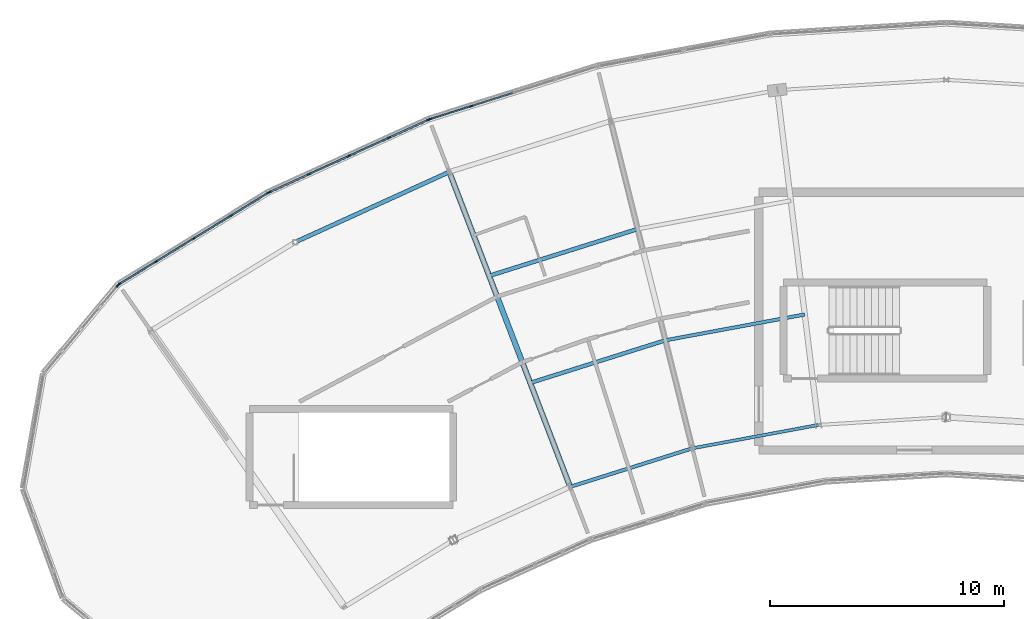
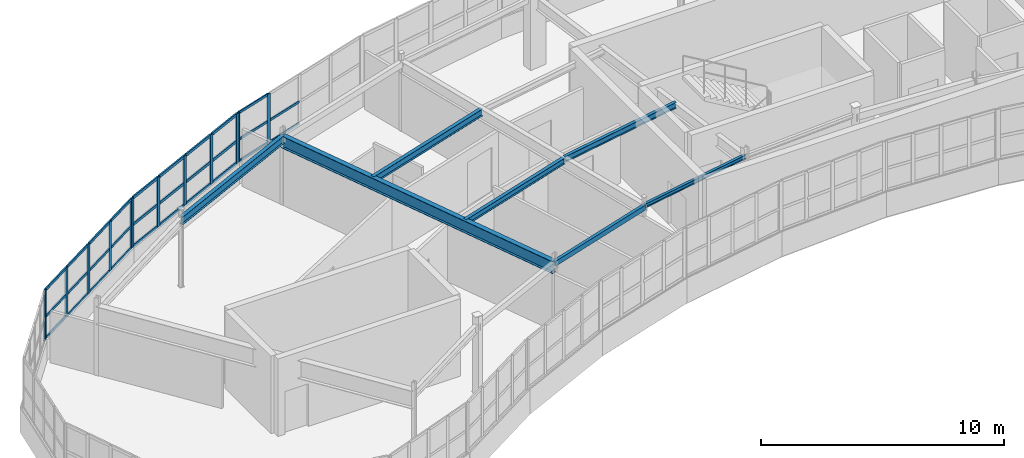
# One storey, part 28 of 60: 42 members, 7 beams, 4 elements without a shape of their own.
"""IFC4 building model written with IfcOpenShell, lengths in metres."""

from ifc_helpers import new_model, si_unit, direction, frame, origin, origin_2d, place, context, subcontext, project, spatial, rectangle, hollow_rectangle, i_section, extrude, material, layer, layer_set, material_profile, profile_set, type_object, element, aggregate, save


model = new_model("IFC4")

# Units and contexts
model_context = context("Model", 3, precision=1e-05, world=origin(), true_north=direction((0.0, 1.0)))
body_context = subcontext(model_context, "Body", "Model", "MODEL_VIEW")
ifc_project = project(units=[si_unit("LENGTHUNIT", "METRE"), si_unit("AREAUNIT", "SQUARE_METRE"), si_unit("VOLUMEUNIT", "CUBIC_METRE"), si_unit("PLANEANGLEUNIT", "RADIAN"), si_unit("MASSUNIT", "GRAM", prefix="KILO")], contexts=[model_context])

# Site, building, storey
site_placement = place(None, origin())
site = spatial("IfcSite", under=ifc_project, at=site_placement, CompositionType="ELEMENT")
building_placement = place(site_placement, origin())
building = spatial("IfcBuilding", under=site, at=building_placement, Name="Tarnwether General Hospital", CompositionType="ELEMENT")
storey_placement = place(building_placement, frame((0.0, 0.0, 26.10009765625)))
storey = spatial("IfcBuildingStorey", under=building, at=storey_placement, Name="L06", CompositionType="ELEMENT", Elevation=26.10009765625)

# Beams
ifc_material_1 = material(Name="Steel Grade 350 (350 MPa)", Category="steel")
ifc_material_profile_1 = material_profile(ifc_material_1, i_section(OverallWidth=0.22900390625, OverallDepth=0.612060546875, WebThickness=0.011962890625, FlangeThickness=0.01953125, at=origin_2d()), Name="610UB125")
ifc_profile_set_1 = profile_set([ifc_material_profile_1], Name="Steel Grade 350 (350 MPa)")
beam_type_1 = type_object("IfcBeamType", Name="BM-G03", PredefinedType="BEAM", material=ifc_profile_set_1)
beam_1_placement = place(storey_placement, frame((70.784912109375, 118.26806640625, 3.19384765625), z_axis=(0.358334838026, -0.933593136145, 0.0), x_axis=(0.933593136145, 0.358334838026, 0.0)))
element("IfcBeam", 1, at=beam_1_placement, inside=storey, type_object=beam_type_1, Name="Curved Ward NW Radial Girder BMG-L06-7078_11827-7594_10482-2014", PredefinedType="BEAM", context=body_context, shape_type="SweptSolid", body=[
    extrude(i_section(OverallWidth=0.22900390625, OverallDepth=0.612060546875, WebThickness=0.011962890625, FlangeThickness=0.01953125, at=origin_2d()), origin(), (0.0, 0.0, 1.0), 14.400390625),
])
ifc_material_2 = material(Name="Steel Grade 350 (350 MPa)", Category="steel")
ifc_material_profile_2 = material_profile(ifc_material_2, i_section(OverallWidth=0.1708984375, OverallDepth=0.35595703125, WebThickness=0.00732421875, FlangeThickness=0.011474609375, at=origin_2d()), Name="360UB50.7")
ifc_profile_set_2 = profile_set([ifc_material_profile_2], Name="Steel Grade 350 (350 MPa)")
beam_type_2 = type_object("IfcBeamType", Name="BM-J04", PredefinedType="JOIST", material=ifc_profile_set_2)
beam_2_placement = place(storey_placement, frame((72.488037109375, 113.8310546875, 3.322021484375), z_axis=(0.953671429399, 0.300850136693, 0.0), x_axis=(-0.300850136693, 0.953671429399, 0.0)))
element("IfcBeam", 2, at=beam_2_placement, inside=storey, type_object=beam_type_2, Name="Curved Ward NW Chord Joist BMG-L06-7249_11383-7883_11583-2025", PredefinedType="JOIST", context=body_context, shape_type="SweptSolid", body=[
    extrude(i_section(OverallWidth=0.1708984375, OverallDepth=0.35595703125, WebThickness=0.00732421875, FlangeThickness=0.011474609375, at=origin_2d()), origin(), (0.0, 0.0, 1.0), 6.64794921875),
])
ifc_material_3 = material(Name="Steel Grade 350 (350 MPa)", Category="steel")
ifc_material_profile_3 = material_profile(ifc_material_3, i_section(OverallWidth=0.1650390625, OverallDepth=0.303955078125, WebThickness=0.006103515625, FlangeThickness=0.01025390625, at=origin_2d()), Name="310UB40.4")
ifc_profile_set_3 = profile_set([ifc_material_profile_3], Name="Steel Grade 350 (350 MPa)")
beam_type_3 = type_object("IfcBeamType", Name="BM-J07", PredefinedType="JOIST", material=ifc_profile_set_3)
beam_3_placement = place(storey_placement, frame((74.241943359375, 109.260986328125, 3.347900390625), z_axis=(0.953725879816, 0.300677478654, 0.0), x_axis=(-0.300677478654, 0.953725879816, 0.0)))
element("IfcBeam", 3, at=beam_3_placement, inside=storey, type_object=beam_type_3, Name="Curved Ward NW Chord Joist BMG-L06-7424_10926-8001_11108-2026", PredefinedType="JOIST", context=body_context, shape_type="SweptSolid", body=[
    extrude(i_section(OverallWidth=0.1650390625, OverallDepth=0.303955078125, WebThickness=0.006103515625, FlangeThickness=0.01025390625, at=origin_2d()), origin(), (0.0, 0.0, 1.0), 6.050048828125),
])
ifc_material_4 = material(Name="Steel Grade 350 (350 MPa)", Category="steel")
ifc_material_profile_4 = material_profile(ifc_material_4, i_section(OverallWidth=0.14892578125, OverallDepth=0.298095703125, WebThickness=0.005615234375, FlangeThickness=0.008056640625, at=origin_2d()), Name="310UB32.0")
ifc_profile_set_4 = profile_set([ifc_material_profile_4], Name="Steel Grade 350 (350 MPa)")
beam_type_4 = type_object("IfcBeamType", Name="BM-J08", PredefinedType="JOIST", material=ifc_profile_set_4)
beam_4_placement = place(storey_placement, frame((80.011962890625, 111.080078125, 3.39599609375), z_axis=(0.983241575901, 0.182307442029, 0.0), x_axis=(-0.182307442029, 0.983241575901, 0.0)))
element("IfcBeam", 4, at=beam_4_placement, inside=storey, type_object=beam_type_4, Name="Curved Ward NW Chord Joist BMG-L06-8001_11108-8596_11218-2030", PredefinedType="JOIST", context=body_context, shape_type="SweptSolid", body=[
    extrude(i_section(OverallWidth=0.14892578125, OverallDepth=0.298095703125, WebThickness=0.005615234375, FlangeThickness=0.008056640625, at=origin_2d()), origin(), (0.0, 0.0, 1.0), 6.05029296875),
])
ifc_material_5 = material(Name="Steel Grade 350 (350 MPa)", Category="steel")
ifc_material_profile_5 = material_profile(ifc_material_5, i_section(OverallWidth=0.177978515625, OverallDepth=0.403076171875, WebThickness=0.007568359375, FlangeThickness=0.010986328125, at=origin_2d()), Name="410UB53.7")
ifc_profile_set_5 = profile_set([ifc_material_profile_5], Name="Steel Grade 350 (350 MPa)")
beam_type_5 = type_object("IfcBeamType", Name="BM-SP2", PredefinedType="SPANDREL", material=ifc_profile_set_5)
beam_5_placement = place(storey_placement, frame((64.20703125, 115.27001953125, 3.29833984375), z_axis=(0.909943842177, 0.414731484316, 0.0), x_axis=(-0.414731484316, 0.909943842177, 0.0)))
element("IfcBeam", 5, at=beam_5_placement, inside=storey, type_object=beam_type_5, Name="Curved Ward NW Outer Spandrel BMG-L06-6421_11527-7078_11827-2021", PredefinedType="SPANDREL", context=body_context, shape_type="SweptSolid", body=[
    extrude(i_section(OverallWidth=0.177978515625, OverallDepth=0.403076171875, WebThickness=0.007568359375, FlangeThickness=0.010986328125, at=origin_2d()), origin(), (0.0, 0.0, 1.0), 7.22900390625),
])
ifc_material_6 = material(Name="Steel Grade C350L0 (350 MPa)", Category="steel")
ifc_material_profile_6 = material_profile(ifc_material_6, hollow_rectangle(XDim=0.14990234375, YDim=0.25, WallThickness=0.010009765625, at=origin_2d()), Name="RHS250x150x10")
ifc_profile_set_6 = profile_set([ifc_material_profile_6], Name="Steel Grade C350L0 (350 MPa)")
beam_type_6 = type_object("IfcBeamType", Name="BM-SP4", PredefinedType="SPANDREL", material=ifc_profile_set_6)
beam_6_placement = place(storey_placement, frame((75.945068359375, 104.823974609375, 3.375), z_axis=(0.953712084488, 0.300721232874, 0.0), x_axis=(-0.300721232874, 0.953712084488, 0.0)))
element("IfcBeam", 6, at=beam_6_placement, inside=storey, type_object=beam_type_6, Name="Curved Ward NW Inner Spandrel BMG-L06-7594_10482-8116_10647-2024", PredefinedType="SPANDREL", context=body_context, shape_type="SweptSolid", body=[
    extrude(hollow_rectangle(XDim=0.14990234375, YDim=0.25, WallThickness=0.010009765625, at=origin_2d()), origin(), (0.0, 0.0, 1.0), 5.47021484375),
])
ifc_material_7 = material(Name="Steel Grade 350 (350 MPa)", Category="steel")
ifc_material_profile_7 = material_profile(ifc_material_7, i_section(OverallWidth=0.133056640625, OverallDepth=0.202880859375, WebThickness=0.005859375, FlangeThickness=0.0078125, at=origin_2d()), Name="200UB25.4")
ifc_profile_set_7 = profile_set([ifc_material_profile_7], Name="Steel Grade 350 (350 MPa)")
beam_type_7 = type_object("IfcBeamType", Name="BM-SP5", PredefinedType="SPANDREL", material=ifc_profile_set_7)
beam_7_placement = place(storey_placement, frame((81.162109375, 106.468994140625, 3.443359375), z_axis=(0.983244096291, 0.18229384825, 0.0), x_axis=(-0.18229384825, 0.983244096291, 0.0)))
element("IfcBeam", 7, at=beam_7_placement, inside=storey, type_object=beam_type_7, Name="Curved Ward NW Inner Spandrel BMG-L06-8116_10647-8654_10747-2028", PredefinedType="SPANDREL", context=body_context, shape_type="SweptSolid", body=[
    extrude(i_section(OverallWidth=0.133056640625, OverallDepth=0.202880859375, WebThickness=0.005859375, FlangeThickness=0.0078125, at=origin_2d()), origin(), (0.0, 0.0, 1.0), 5.469482421875),
])

# Curtain wall, members
ifc_material_8 = material(Name="Anodised aluminium", Category="aluminium")
ifc_layer_1 = layer(ifc_material_8, 0.179931640625)
ifc_layer_set_1 = layer_set([ifc_layer_1], Name="Anodised aluminium")
curtain_wall_type_1 = type_object("IfcCurtainWallType", Name="CW-06", PredefinedType="NOTDEFINED", material=ifc_layer_set_1)
curtain_wall_1_placement = place(storey_placement, origin())
curtain_wall_1 = element("IfcCurtainWall", 8, at=curtain_wall_1_placement, inside=storey, type_object=curtain_wall_type_1, Name="Curtain Wall CWG-L06-699_1205-0125", PredefinedType="NOTDEFINED")
ifc_material_9 = material(Name="Anodised aluminium", Category="aluminium")
ifc_material_profile_8 = material_profile(ifc_material_9, rectangle(XDim=0.06005859375, YDim=0.159912109375, at=origin_2d()), Name="ALU-MUL-60x160")
ifc_profile_set_8 = profile_set([ifc_material_profile_8], Name="Anodised aluminium")
member_type_1 = type_object("IfcMemberType", Name="CW-ML1", PredefinedType="MULLION", material=ifc_profile_set_8)
member_1_placement = place(storey_placement, frame((69.95361328125, 120.51806640625, 1.0498046875), z_axis=(0.0, 0.0, 1.0), x_axis=(-0.300628613299, 0.953741284032, 0.0)))
member_1 = element("IfcMember", 9, at=member_1_placement, type_object=member_type_1, Name="CW-06 mullion 1", PredefinedType="MULLION", context=body_context, shape_type="SweptSolid", body=[
    extrude(rectangle(XDim=0.06005859375, YDim=0.159912109375, at=origin_2d()), origin(), (0.0, 0.0, 1.0), 2.4951171875),
])
member_2_placement = place(storey_placement, frame((71.71826171875, 121.07421875, 1.0498046875), z_axis=(0.0, 0.0, 1.0), x_axis=(-0.300628613299, 0.953741284032, 0.0)))
member_2 = element("IfcMember", 10, at=member_2_placement, type_object=member_type_1, Name="CW-06 mullion 2", PredefinedType="MULLION", context=body_context, shape_type="SweptSolid", body=[
    extrude(rectangle(XDim=0.06005859375, YDim=0.159912109375, at=origin_2d()), origin(), (0.0, 0.0, 1.0), 2.4951171875),
])

curtain_wall_2_placement = place(storey_placement, origin())
curtain_wall_2 = element("IfcCurtainWall", 11, at=curtain_wall_2_placement, inside=storey, type_object=curtain_wall_type_1, Name="Curtain Wall CWG-L06-631_1174-0126", PredefinedType="NOTDEFINED")
ifc_material_10 = material(Name="Anodised aluminium", Category="aluminium")
ifc_material_profile_9 = material_profile(ifc_material_10, rectangle(XDim=0.070068359375, YDim=0.179931640625, at=origin_2d()), Name="ALU-MUL-70x180")
ifc_profile_set_9 = profile_set([ifc_material_profile_9], Name="Anodised aluminium")
member_type_2 = type_object("IfcMemberType", Name="CW-ML2", PredefinedType="MULLION", material=ifc_profile_set_9)
member_3_placement = place(storey_placement, frame((63.11279296875, 117.404541015625, 1.0498046875), z_axis=(0.0, 0.0, 1.0), x_axis=(-0.414694289316, 0.909960793886, 0.0)))
member_3 = element("IfcMember", 12, at=member_3_placement, type_object=member_type_2, Name="CW-06 mullion 1", PredefinedType="MULLION", context=body_context, shape_type="SweptSolid", body=[
    extrude(rectangle(XDim=0.070068359375, YDim=0.179931640625, at=origin_2d()), origin(), (0.0, 0.0, 1.0), 2.4951171875),
])
member_4_placement = place(storey_placement, frame((64.7919921875, 118.169677734375, 1.0498046875), z_axis=(0.0, 0.0, 1.0), x_axis=(-0.414694289316, 0.909960793886, 0.0)))
member_4 = element("IfcMember", 13, at=member_4_placement, type_object=member_type_2, Name="CW-06 mullion 2", PredefinedType="MULLION", context=body_context, shape_type="SweptSolid", body=[
    extrude(rectangle(XDim=0.070068359375, YDim=0.179931640625, at=origin_2d()), origin(), (0.0, 0.0, 1.0), 2.4951171875),
])
member_5_placement = place(storey_placement, frame((66.5029296875, 118.949462890625, 1.0498046875), z_axis=(0.0, 0.0, 1.0), x_axis=(-0.414694289316, 0.909960793886, 0.0)))
member_5 = element("IfcMember", 14, at=member_5_placement, type_object=member_type_2, Name="CW-06 mullion 3", PredefinedType="MULLION", context=body_context, shape_type="SweptSolid", body=[
    extrude(rectangle(XDim=0.070068359375, YDim=0.179931640625, at=origin_2d()), origin(), (0.0, 0.0, 1.0), 2.4951171875),
])
member_6_placement = place(storey_placement, frame((68.214111328125, 119.729248046875, 1.0498046875), z_axis=(0.0, 0.0, 1.0), x_axis=(-0.414694289316, 0.909960793886, 0.0)))
member_6 = element("IfcMember", 15, at=member_6_placement, type_object=member_type_2, Name="CW-06 mullion 4", PredefinedType="MULLION", context=body_context, shape_type="SweptSolid", body=[
    extrude(rectangle(XDim=0.070068359375, YDim=0.179931640625, at=origin_2d()), origin(), (0.0, 0.0, 1.0), 2.4951171875),
])
member_7_placement = place(storey_placement, frame((69.89306640625, 120.494384765625, 1.0498046875), z_axis=(0.0, 0.0, 1.0), x_axis=(-0.414694289316, 0.909960793886, 0.0)))
member_7 = element("IfcMember", 16, at=member_7_placement, type_object=member_type_2, Name="CW-06 mullion 5", PredefinedType="MULLION", context=body_context, shape_type="SweptSolid", body=[
    extrude(rectangle(XDim=0.070068359375, YDim=0.179931640625, at=origin_2d()), origin(), (0.0, 0.0, 1.0), 2.4951171875),
])

curtain_wall_3_placement = place(storey_placement, origin())
curtain_wall_3 = element("IfcCurtainWall", 17, at=curtain_wall_3_placement, inside=storey, type_object=curtain_wall_type_1, Name="Curtain Wall CWG-L06-567_1135-0127", PredefinedType="NOTDEFINED")
ifc_material_11 = material(Name="Anodised aluminium", Category="aluminium")
ifc_material_profile_10 = material_profile(ifc_material_11, rectangle(XDim=0.06494140625, YDim=0.169921875, at=origin_2d()), Name="ALU-MUL-65x170")
ifc_profile_set_10 = profile_set([ifc_material_profile_10], Name="Anodised aluminium")
member_type_3 = type_object("IfcMemberType", Name="CW-ML3", PredefinedType="MULLION", material=ifc_profile_set_10)
member_8_placement = place(storey_placement, frame((56.69580078125, 113.47705078125, 1.0498046875), z_axis=(0.0, 0.0, 1.0), x_axis=(-0.522509056361, 0.852633734977, 0.0)))
member_8 = element("IfcMember", 18, at=member_8_placement, type_object=member_type_3, Name="CW-06 mullion 1", PredefinedType="MULLION", context=body_context, shape_type="SweptSolid", body=[
    extrude(rectangle(XDim=0.06494140625, YDim=0.169921875, at=origin_2d()), origin(), (0.0, 0.0, 1.0), 2.4951171875),
])
member_9_placement = place(storey_placement, frame((58.271240234375, 114.4423828125, 1.0498046875), z_axis=(0.0, 0.0, 1.0), x_axis=(-0.522509056361, 0.852633734977, 0.0)))
member_9 = element("IfcMember", 19, at=member_9_placement, type_object=member_type_3, Name="CW-06 mullion 2", PredefinedType="MULLION", context=body_context, shape_type="SweptSolid", body=[
    extrude(rectangle(XDim=0.06494140625, YDim=0.169921875, at=origin_2d()), origin(), (0.0, 0.0, 1.0), 2.4951171875),
])
member_10_placement = place(storey_placement, frame((59.87451171875, 115.425048828125, 1.0498046875), z_axis=(0.0, 0.0, 1.0), x_axis=(-0.522509056361, 0.852633734977, 0.0)))
member_10 = element("IfcMember", 20, at=member_10_placement, type_object=member_type_3, Name="CW-06 mullion 3", PredefinedType="MULLION", context=body_context, shape_type="SweptSolid", body=[
    extrude(rectangle(XDim=0.06494140625, YDim=0.169921875, at=origin_2d()), origin(), (0.0, 0.0, 1.0), 2.4951171875),
])
member_11_placement = place(storey_placement, frame((61.477783203125, 116.407470703125, 1.0498046875), z_axis=(0.0, 0.0, 1.0), x_axis=(-0.522509056361, 0.852633734977, 0.0)))
member_11 = element("IfcMember", 21, at=member_11_placement, type_object=member_type_3, Name="CW-06 mullion 4", PredefinedType="MULLION", context=body_context, shape_type="SweptSolid", body=[
    extrude(rectangle(XDim=0.06494140625, YDim=0.169921875, at=origin_2d()), origin(), (0.0, 0.0, 1.0), 2.4951171875),
])
member_12_placement = place(storey_placement, frame((63.05322265625, 117.373046875, 1.0498046875), z_axis=(0.0, 0.0, 1.0), x_axis=(-0.522509056361, 0.852633734977, 0.0)))
member_12 = element("IfcMember", 22, at=member_12_placement, type_object=member_type_3, Name="CW-06 mullion 5", PredefinedType="MULLION", context=body_context, shape_type="SweptSolid", body=[
    extrude(rectangle(XDim=0.06494140625, YDim=0.169921875, at=origin_2d()), origin(), (0.0, 0.0, 1.0), 2.4951171875),
])

# Curtain wall, member
ifc_material_12 = material(Name="Anodised aluminium", Category="aluminium")
ifc_layer_2 = layer(ifc_material_12, 0.159912109375)
ifc_layer_set_2 = layer_set([ifc_layer_2], Name="Anodised aluminium")
curtain_wall_type_2 = type_object("IfcCurtainWallType", Name="CW-04", PredefinedType="NOTDEFINED", material=ifc_layer_set_2)
curtain_wall_4_placement = place(storey_placement, origin())
curtain_wall_4 = element("IfcCurtainWall", 23, at=curtain_wall_4_placement, inside=storey, type_object=curtain_wall_type_2, Name="Curtain Wall CWG-L06-535_1097-0128", PredefinedType="NOTDEFINED")
ifc_material_13 = material(Name="Anodised aluminium", Category="aluminium")
ifc_material_profile_11 = material_profile(ifc_material_13, rectangle(XDim=0.080078125, YDim=0.199951171875, at=origin_2d()), Name="ALU-MUL-80x200")
ifc_profile_set_11 = profile_set([ifc_material_profile_11], Name="Anodised aluminium")
member_type_4 = type_object("IfcMemberType", Name="CW-ML4", PredefinedType="MULLION", material=ifc_profile_set_11)
member_13_placement = place(storey_placement, frame((56.642333984375, 113.429443359375, 1.0498046875), z_axis=(0.0, 0.0, 1.0), x_axis=(-0.765990176896, 0.64285227611, 0.0)))
member_13 = element("IfcMember", 24, at=member_13_placement, type_object=member_type_4, Name="CW-04 mullion 5", PredefinedType="MULLION", context=body_context, shape_type="SweptSolid", body=[
    extrude(rectangle(XDim=0.080078125, YDim=0.199951171875, at=origin_2d()), origin(), (0.0, 0.0, 1.0), 2.4951171875),
])
aggregate(curtain_wall_4, [member_13])

# Member
ifc_material_14 = material(Name="Anodised aluminium", Category="aluminium")
ifc_material_profile_12 = material_profile(ifc_material_14, rectangle(XDim=0.06005859375, YDim=0.1201171875, at=origin_2d()), Name="ALU-TRN-60x120")
ifc_profile_set_12 = profile_set([ifc_material_profile_12], Name="Anodised aluminium")
member_type_5 = type_object("IfcMemberType", Name="CW-TR1", PredefinedType="USERDEFINED", material=ifc_profile_set_12)
member_14_placement = place(storey_placement, frame((69.982177734375, 120.527099609375, 1.079833984375), z_axis=(0.953763859338, 0.300556983983, 0.0), x_axis=(-0.300556983983, 0.953763859338, 0.0)))
member_14 = element("IfcMember", 25, at=member_14_placement, type_object=member_type_5, Name="CW-06 transom 1.1", ObjectType="TRANSOM", PredefinedType="USERDEFINED", context=body_context, shape_type="SweptSolid", body=[
    extrude(rectangle(XDim=0.06005859375, YDim=0.1201171875, at=origin_2d()), origin(), (0.0, 0.0, 1.0), 1.790283203125),
])

member_15_placement = place(storey_placement, frame((69.982177734375, 120.527099609375, 2.172607421875), z_axis=(0.953763859338, 0.300556983983, 0.0), x_axis=(-0.300556983983, 0.953763859338, 0.0)))
member_15 = element("IfcMember", 26, at=member_15_placement, type_object=member_type_5, Name="CW-06 transom 1.2", ObjectType="TRANSOM", PredefinedType="USERDEFINED", context=body_context, shape_type="SweptSolid", body=[
    extrude(rectangle(XDim=0.06005859375, YDim=0.1201171875, at=origin_2d()), origin(), (0.0, 0.0, 1.0), 1.790283203125),
])

member_16_placement = place(storey_placement, frame((69.982177734375, 120.527099609375, 3.514892578125), z_axis=(0.953763859338, 0.300556983983, 0.0), x_axis=(-0.300556983983, 0.953763859338, 0.0)))
member_16 = element("IfcMember", 27, at=member_16_placement, type_object=member_type_5, Name="CW-06 transom 1.3", ObjectType="TRANSOM", PredefinedType="USERDEFINED", context=body_context, shape_type="SweptSolid", body=[
    extrude(rectangle(XDim=0.06005859375, YDim=0.1201171875, at=origin_2d()), origin(), (0.0, 0.0, 1.0), 1.790283203125),
])

member_17_placement = place(storey_placement, frame((71.746826171875, 121.083251953125, 1.079833984375), z_axis=(0.953758856657, 0.300572858637, 0.0), x_axis=(-0.300572858637, 0.953758856657, 0.0)))
member_17 = element("IfcMember", 28, at=member_17_placement, type_object=member_type_5, Name="CW-06 transom 2.1", ObjectType="TRANSOM", PredefinedType="USERDEFINED", context=body_context, shape_type="SweptSolid", body=[
    extrude(rectangle(XDim=0.06005859375, YDim=0.1201171875, at=origin_2d()), origin(), (0.0, 0.0, 1.0), 1.8203125),
])

member_18_placement = place(storey_placement, frame((71.746826171875, 121.083251953125, 2.172607421875), z_axis=(0.953758856657, 0.300572858637, 0.0), x_axis=(-0.300572858637, 0.953758856657, 0.0)))
member_18 = element("IfcMember", 29, at=member_18_placement, type_object=member_type_5, Name="CW-06 transom 2.2", ObjectType="TRANSOM", PredefinedType="USERDEFINED", context=body_context, shape_type="SweptSolid", body=[
    extrude(rectangle(XDim=0.06005859375, YDim=0.1201171875, at=origin_2d()), origin(), (0.0, 0.0, 1.0), 1.8203125),
])

aggregate(curtain_wall_1, [member_1, member_2, member_14, member_15, member_16, member_17, member_18])

ifc_material_15 = material(Name="Anodised aluminium", Category="aluminium")
ifc_material_profile_13 = material_profile(ifc_material_15, rectangle(XDim=0.070068359375, YDim=0.139892578125, at=origin_2d()), Name="ALU-TRN-70x140")
ifc_profile_set_13 = profile_set([ifc_material_profile_13], Name="Anodised aluminium")
member_type_6 = type_object("IfcMemberType", Name="CW-TR2", PredefinedType="USERDEFINED", material=ifc_profile_set_13)
member_19_placement = place(storey_placement, frame((63.144775390625, 117.4189453125, 1.0849609375), z_axis=(0.909937431902, 0.414745548529, 0.0), x_axis=(-0.414745548529, 0.909937431902, 0.0)))
member_19 = element("IfcMember", 30, at=member_19_placement, type_object=member_type_6, Name="CW-06 transom 1.1", ObjectType="TRANSOM", PredefinedType="USERDEFINED", context=body_context, shape_type="SweptSolid", body=[
    extrude(rectangle(XDim=0.070068359375, YDim=0.139892578125, at=origin_2d()), origin(), (0.0, 0.0, 1.0), 1.775390625),
])

member_20_placement = place(storey_placement, frame((63.144775390625, 117.4189453125, 2.172607421875), z_axis=(0.909937431902, 0.414745548529, 0.0), x_axis=(-0.414745548529, 0.909937431902, 0.0)))
member_20 = element("IfcMember", 31, at=member_20_placement, type_object=member_type_6, Name="CW-06 transom 1.2", ObjectType="TRANSOM", PredefinedType="USERDEFINED", context=body_context, shape_type="SweptSolid", body=[
    extrude(rectangle(XDim=0.070068359375, YDim=0.139892578125, at=origin_2d()), origin(), (0.0, 0.0, 1.0), 1.775390625),
])

member_21_placement = place(storey_placement, frame((63.144775390625, 117.4189453125, 3.510009765625), z_axis=(0.909937431902, 0.414745548529, 0.0), x_axis=(-0.414745548529, 0.909937431902, 0.0)))
member_21 = element("IfcMember", 32, at=member_21_placement, type_object=member_type_6, Name="CW-06 transom 1.3", ObjectType="TRANSOM", PredefinedType="USERDEFINED", context=body_context, shape_type="SweptSolid", body=[
    extrude(rectangle(XDim=0.070068359375, YDim=0.139892578125, at=origin_2d()), origin(), (0.0, 0.0, 1.0), 1.775390625),
])

member_22_placement = place(storey_placement, frame((64.82373046875, 118.184326171875, 1.0849609375), z_axis=(0.909973522568, 0.41466635772, 0.0), x_axis=(-0.41466635772, 0.909973522568, 0.0)))
member_22 = element("IfcMember", 33, at=member_22_placement, type_object=member_type_6, Name="CW-06 transom 2.1", ObjectType="TRANSOM", PredefinedType="USERDEFINED", context=body_context, shape_type="SweptSolid", body=[
    extrude(rectangle(XDim=0.070068359375, YDim=0.139892578125, at=origin_2d()), origin(), (0.0, 0.0, 1.0), 1.810546875),
])

member_23_placement = place(storey_placement, frame((64.82373046875, 118.184326171875, 2.172607421875), z_axis=(0.909973522568, 0.41466635772, 0.0), x_axis=(-0.41466635772, 0.909973522568, 0.0)))
member_23 = element("IfcMember", 34, at=member_23_placement, type_object=member_type_6, Name="CW-06 transom 2.2", ObjectType="TRANSOM", PredefinedType="USERDEFINED", context=body_context, shape_type="SweptSolid", body=[
    extrude(rectangle(XDim=0.070068359375, YDim=0.139892578125, at=origin_2d()), origin(), (0.0, 0.0, 1.0), 1.810546875),
])

member_24_placement = place(storey_placement, frame((64.82373046875, 118.184326171875, 3.510009765625), z_axis=(0.909973522568, 0.41466635772, 0.0), x_axis=(-0.41466635772, 0.909973522568, 0.0)))
member_24 = element("IfcMember", 35, at=member_24_placement, type_object=member_type_6, Name="CW-06 transom 2.3", ObjectType="TRANSOM", PredefinedType="USERDEFINED", context=body_context, shape_type="SweptSolid", body=[
    extrude(rectangle(XDim=0.070068359375, YDim=0.139892578125, at=origin_2d()), origin(), (0.0, 0.0, 1.0), 1.810546875),
])

member_25_placement = place(storey_placement, frame((66.534912109375, 118.964111328125, 1.0849609375), z_axis=(0.90995033094, 0.414717247316, 0.0), x_axis=(-0.414717247316, 0.90995033094, 0.0)))
member_25 = element("IfcMember", 36, at=member_25_placement, type_object=member_type_6, Name="CW-06 transom 3.1", ObjectType="TRANSOM", PredefinedType="USERDEFINED", context=body_context, shape_type="SweptSolid", body=[
    extrude(rectangle(XDim=0.070068359375, YDim=0.139892578125, at=origin_2d()), origin(), (0.0, 0.0, 1.0), 1.810302734375),
])

member_26_placement = place(storey_placement, frame((66.534912109375, 118.964111328125, 2.172607421875), z_axis=(0.90995033094, 0.414717247316, 0.0), x_axis=(-0.414717247316, 0.90995033094, 0.0)))
member_26 = element("IfcMember", 37, at=member_26_placement, type_object=member_type_6, Name="CW-06 transom 3.2", ObjectType="TRANSOM", PredefinedType="USERDEFINED", context=body_context, shape_type="SweptSolid", body=[
    extrude(rectangle(XDim=0.070068359375, YDim=0.139892578125, at=origin_2d()), origin(), (0.0, 0.0, 1.0), 1.810302734375),
])

member_27_placement = place(storey_placement, frame((66.534912109375, 118.964111328125, 3.510009765625), z_axis=(0.90995033094, 0.414717247316, 0.0), x_axis=(-0.414717247316, 0.90995033094, 0.0)))
member_27 = element("IfcMember", 38, at=member_27_placement, type_object=member_type_6, Name="CW-06 transom 3.3", ObjectType="TRANSOM", PredefinedType="USERDEFINED", context=body_context, shape_type="SweptSolid", body=[
    extrude(rectangle(XDim=0.070068359375, YDim=0.139892578125, at=origin_2d()), origin(), (0.0, 0.0, 1.0), 1.810302734375),
])

member_28_placement = place(storey_placement, frame((68.245849609375, 119.74365234375, 1.0849609375), z_axis=(0.909937431902, 0.414745548529, 0.0), x_axis=(-0.414745548529, 0.909937431902, 0.0)))
member_28 = element("IfcMember", 39, at=member_28_placement, type_object=member_type_6, Name="CW-06 transom 4.1", ObjectType="TRANSOM", PredefinedType="USERDEFINED", context=body_context, shape_type="SweptSolid", body=[
    extrude(rectangle(XDim=0.070068359375, YDim=0.139892578125, at=origin_2d()), origin(), (0.0, 0.0, 1.0), 1.775390625),
])

member_29_placement = place(storey_placement, frame((68.245849609375, 119.74365234375, 2.172607421875), z_axis=(0.909937431902, 0.414745548529, 0.0), x_axis=(-0.414745548529, 0.909937431902, 0.0)))
member_29 = element("IfcMember", 40, at=member_29_placement, type_object=member_type_6, Name="CW-06 transom 4.2", ObjectType="TRANSOM", PredefinedType="USERDEFINED", context=body_context, shape_type="SweptSolid", body=[
    extrude(rectangle(XDim=0.070068359375, YDim=0.139892578125, at=origin_2d()), origin(), (0.0, 0.0, 1.0), 1.775390625),
])

member_30_placement = place(storey_placement, frame((68.245849609375, 119.74365234375, 3.510009765625), z_axis=(0.909937431902, 0.414745548529, 0.0), x_axis=(-0.414745548529, 0.909937431902, 0.0)))
member_30 = element("IfcMember", 41, at=member_30_placement, type_object=member_type_6, Name="CW-06 transom 4.3", ObjectType="TRANSOM", PredefinedType="USERDEFINED", context=body_context, shape_type="SweptSolid", body=[
    extrude(rectangle(XDim=0.070068359375, YDim=0.139892578125, at=origin_2d()), origin(), (0.0, 0.0, 1.0), 1.775390625),
])

aggregate(curtain_wall_2, [member_3, member_4, member_5, member_6, member_7, member_19, member_20, member_21, member_22, member_23, member_24, member_25, member_26, member_27, member_28, member_29, member_30])

ifc_material_16 = material(Name="Anodised aluminium", Category="aluminium")
ifc_material_profile_14 = material_profile(ifc_material_16, rectangle(XDim=0.06494140625, YDim=0.1298828125, at=origin_2d()), Name="ALU-TRN-65x130")
ifc_profile_set_14 = profile_set([ifc_material_profile_14], Name="Anodised aluminium")
member_type_7 = type_object("IfcMemberType", Name="CW-TR3", PredefinedType="USERDEFINED", material=ifc_profile_set_14)
member_31_placement = place(storey_placement, frame((56.723388671875, 113.493896484375, 1.08251953125), z_axis=(0.852634705215, 0.522507473117, 0.0), x_axis=(-0.522507473117, 0.852634705215, 0.0)))
member_31 = element("IfcMember", 42, at=member_31_placement, type_object=member_type_7, Name="CW-06 transom 1.1", ObjectType="TRANSOM", PredefinedType="USERDEFINED", context=body_context, shape_type="SweptSolid", body=[
    extrude(rectangle(XDim=0.06494140625, YDim=0.1298828125, at=origin_2d()), origin(), (0.0, 0.0, 1.0), 1.782958984375),
])

member_32_placement = place(storey_placement, frame((56.723388671875, 113.493896484375, 2.172607421875), z_axis=(0.852634705215, 0.522507473117, 0.0), x_axis=(-0.522507473117, 0.852634705215, 0.0)))
member_32 = element("IfcMember", 43, at=member_32_placement, type_object=member_type_7, Name="CW-06 transom 1.2", ObjectType="TRANSOM", PredefinedType="USERDEFINED", context=body_context, shape_type="SweptSolid", body=[
    extrude(rectangle(XDim=0.06494140625, YDim=0.1298828125, at=origin_2d()), origin(), (0.0, 0.0, 1.0), 1.782958984375),
])

member_33_placement = place(storey_placement, frame((56.723388671875, 113.493896484375, 3.512451171875), z_axis=(0.852634705215, 0.522507473117, 0.0), x_axis=(-0.522507473117, 0.852634705215, 0.0)))
member_33 = element("IfcMember", 44, at=member_33_placement, type_object=member_type_7, Name="CW-06 transom 1.3", ObjectType="TRANSOM", PredefinedType="USERDEFINED", context=body_context, shape_type="SweptSolid", body=[
    extrude(rectangle(XDim=0.06494140625, YDim=0.1298828125, at=origin_2d()), origin(), (0.0, 0.0, 1.0), 1.782958984375),
])

member_34_placement = place(storey_placement, frame((58.299072265625, 114.45947265625, 1.08251953125), z_axis=(0.852612850773, 0.522543133815, 0.0), x_axis=(-0.522543133815, 0.852612850773, 0.0)))
member_34 = element("IfcMember", 45, at=member_34_placement, type_object=member_type_7, Name="CW-06 transom 2.1", ObjectType="TRANSOM", PredefinedType="USERDEFINED", context=body_context, shape_type="SweptSolid", body=[
    extrude(rectangle(XDim=0.06494140625, YDim=0.1298828125, at=origin_2d()), origin(), (0.0, 0.0, 1.0), 1.815185546875),
])

member_35_placement = place(storey_placement, frame((58.299072265625, 114.45947265625, 2.172607421875), z_axis=(0.852612850773, 0.522543133815, 0.0), x_axis=(-0.522543133815, 0.852612850773, 0.0)))
member_35 = element("IfcMember", 46, at=member_35_placement, type_object=member_type_7, Name="CW-06 transom 2.2", ObjectType="TRANSOM", PredefinedType="USERDEFINED", context=body_context, shape_type="SweptSolid", body=[
    extrude(rectangle(XDim=0.06494140625, YDim=0.1298828125, at=origin_2d()), origin(), (0.0, 0.0, 1.0), 1.815185546875),
])

member_36_placement = place(storey_placement, frame((58.299072265625, 114.45947265625, 3.512451171875), z_axis=(0.852612850773, 0.522543133815, 0.0), x_axis=(-0.522543133815, 0.852612850773, 0.0)))
member_36 = element("IfcMember", 47, at=member_36_placement, type_object=member_type_7, Name="CW-06 transom 2.3", ObjectType="TRANSOM", PredefinedType="USERDEFINED", context=body_context, shape_type="SweptSolid", body=[
    extrude(rectangle(XDim=0.06494140625, YDim=0.1298828125, at=origin_2d()), origin(), (0.0, 0.0, 1.0), 1.815185546875),
])

member_37_placement = place(storey_placement, frame((59.902099609375, 115.44189453125, 1.08251953125), z_axis=(0.852589655774, 0.522580978287, 0.0), x_axis=(-0.522580978287, 0.852589655774, 0.0)))
member_37 = element("IfcMember", 48, at=member_37_placement, type_object=member_type_7, Name="CW-06 transom 3.1", ObjectType="TRANSOM", PredefinedType="USERDEFINED", context=body_context, shape_type="SweptSolid", body=[
    extrude(rectangle(XDim=0.06494140625, YDim=0.1298828125, at=origin_2d()), origin(), (0.0, 0.0, 1.0), 1.8154296875),
])

member_38_placement = place(storey_placement, frame((59.902099609375, 115.44189453125, 2.172607421875), z_axis=(0.852589655774, 0.522580978287, 0.0), x_axis=(-0.522580978287, 0.852589655774, 0.0)))
member_38 = element("IfcMember", 49, at=member_38_placement, type_object=member_type_7, Name="CW-06 transom 3.2", ObjectType="TRANSOM", PredefinedType="USERDEFINED", context=body_context, shape_type="SweptSolid", body=[
    extrude(rectangle(XDim=0.06494140625, YDim=0.1298828125, at=origin_2d()), origin(), (0.0, 0.0, 1.0), 1.8154296875),
])

member_39_placement = place(storey_placement, frame((59.902099609375, 115.44189453125, 3.512451171875), z_axis=(0.852589655774, 0.522580978287, 0.0), x_axis=(-0.522580978287, 0.852589655774, 0.0)))
member_39 = element("IfcMember", 50, at=member_39_placement, type_object=member_type_7, Name="CW-06 transom 3.3", ObjectType="TRANSOM", PredefinedType="USERDEFINED", context=body_context, shape_type="SweptSolid", body=[
    extrude(rectangle(XDim=0.06494140625, YDim=0.1298828125, at=origin_2d()), origin(), (0.0, 0.0, 1.0), 1.8154296875),
])

member_40_placement = place(storey_placement, frame((61.50537109375, 116.424560546875, 1.08251953125), z_axis=(0.852695705147, 0.522407919565, 0.0), x_axis=(-0.522407919565, 0.852695705147, 0.0)))
member_40 = element("IfcMember", 51, at=member_40_placement, type_object=member_type_7, Name="CW-06 transom 4.1", ObjectType="TRANSOM", PredefinedType="USERDEFINED", context=body_context, shape_type="SweptSolid", body=[
    extrude(rectangle(XDim=0.06494140625, YDim=0.1298828125, at=origin_2d()), origin(), (0.0, 0.0, 1.0), 1.782958984375),
])

member_41_placement = place(storey_placement, frame((61.50537109375, 116.424560546875, 2.172607421875), z_axis=(0.852695705147, 0.522407919565, 0.0), x_axis=(-0.522407919565, 0.852695705147, 0.0)))
member_41 = element("IfcMember", 52, at=member_41_placement, type_object=member_type_7, Name="CW-06 transom 4.2", ObjectType="TRANSOM", PredefinedType="USERDEFINED", context=body_context, shape_type="SweptSolid", body=[
    extrude(rectangle(XDim=0.06494140625, YDim=0.1298828125, at=origin_2d()), origin(), (0.0, 0.0, 1.0), 1.782958984375),
])

member_42_placement = place(storey_placement, frame((61.50537109375, 116.424560546875, 3.512451171875), z_axis=(0.852695705147, 0.522407919565, 0.0), x_axis=(-0.522407919565, 0.852695705147, 0.0)))
member_42 = element("IfcMember", 53, at=member_42_placement, type_object=member_type_7, Name="CW-06 transom 4.3", ObjectType="TRANSOM", PredefinedType="USERDEFINED", context=body_context, shape_type="SweptSolid", body=[
    extrude(rectangle(XDim=0.06494140625, YDim=0.1298828125, at=origin_2d()), origin(), (0.0, 0.0, 1.0), 1.782958984375),
])

aggregate(curtain_wall_3, [member_8, member_9, member_10, member_11, member_12, member_31, member_32, member_33, member_34, member_35, member_36, member_37, member_38, member_39, member_40, member_41, member_42])

save(model, "model.ifc")
